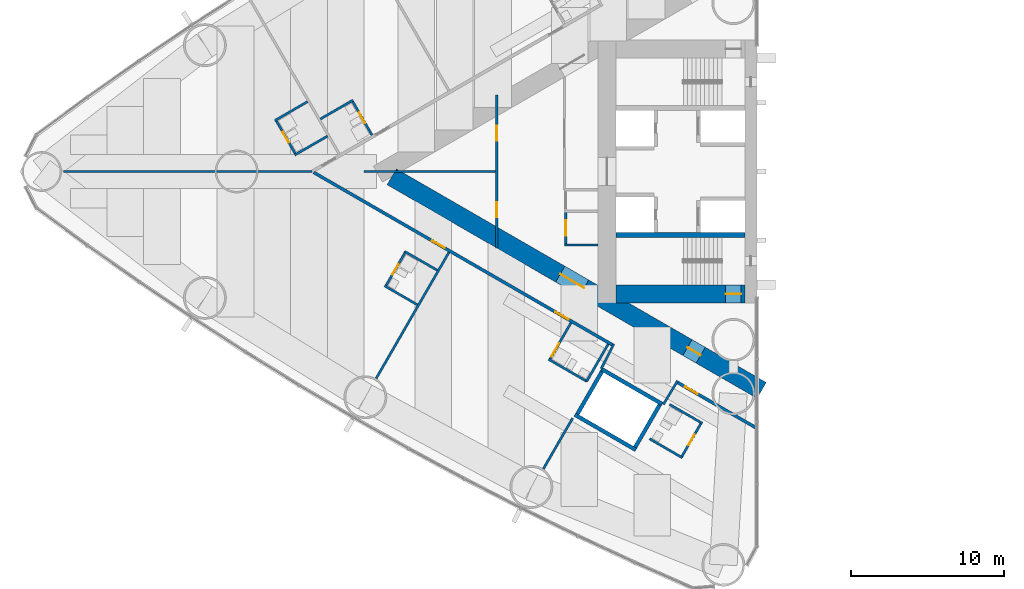
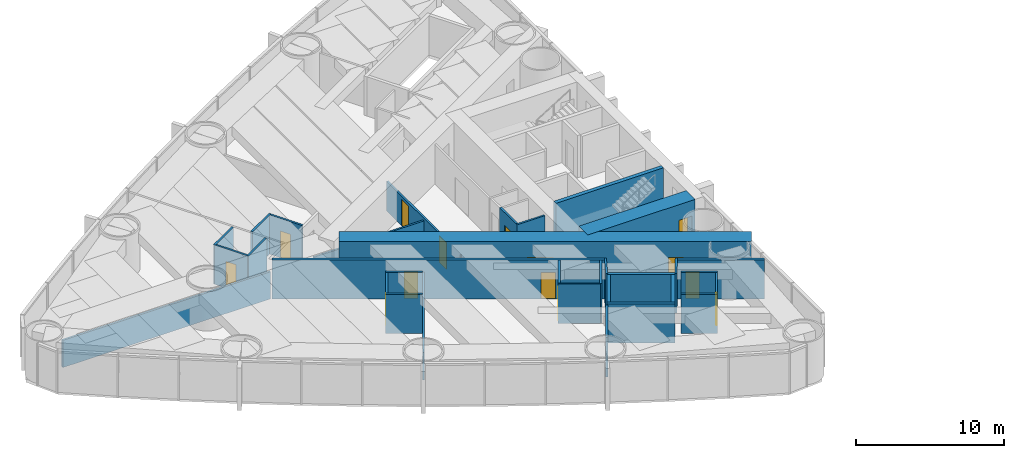
# One storey, part 11 of 19: 32 walls, 14 doors, 14 openings.
"""IFC4 building model written with IfcOpenShell, lengths in metres."""

from ifc_helpers import new_model, si_unit, direction, frame, frame_2d, origin, place, context, subcontext, project, spatial, rectangle, extrude, material, layer, layer_set, type_object, element, fill, save


model = new_model("IFC4")

# Units and contexts
model_context = context("Model", 3, precision=1e-05, world=origin(), true_north=direction((0.0, 1.0)))
body_context = subcontext(model_context, "Body", "Model", "MODEL_VIEW")
ifc_project = project(units=[si_unit("LENGTHUNIT", "METRE"), si_unit("AREAUNIT", "SQUARE_METRE"), si_unit("VOLUMEUNIT", "CUBIC_METRE"), si_unit("PLANEANGLEUNIT", "RADIAN"), si_unit("MASSUNIT", "GRAM", prefix="KILO")], contexts=[model_context])

# Site, building, storey
site_placement = place(None, origin())
site = spatial("IfcSite", under=ifc_project, at=site_placement, CompositionType="ELEMENT")
building_placement = place(site_placement, origin())
building = spatial("IfcBuilding", under=site, at=building_placement, Name="Lancet Gate Hotel", CompositionType="ELEMENT")
storey_placement = place(building_placement, frame((0.0, 0.0, 28.5)))
storey = spatial("IfcBuildingStorey", under=building, at=storey_placement, Name="L06", CompositionType="ELEMENT", Elevation=28.5)

# Wall
ifc_material_1 = material(Name="Moisture resistant board partition")
ifc_layer_1 = layer(ifc_material_1, 0.14990234375)
ifc_layer_set_1 = layer_set([ifc_layer_1], Name="Bathroom wall 150")
wall_type_1 = type_object("IfcWallType", Name="Bathroom wall 150", PredefinedType="PARTITIONING", material=ifc_layer_set_1)
wall_1_placement = place(storey_placement, frame((-53.8876953125, 4.665283203125, 0.0), z_axis=(0.0, 0.0, 1.0), x_axis=(-0.866006523861, -0.500032699561, 0.0)))
element("IfcWall", 1, at=wall_1_placement, inside=storey, type_object=wall_type_1, Name="T1 bathroom wall 150 L06", PredefinedType="PARTITIONING", context=body_context, shape_type="SweptSolid", body=[
    extrude(rectangle(XDim=2.474853515625, YDim=0.14990234375, at=frame_2d((1.2373046875, 0.0))), origin(), (0.0, 0.0, 1.0), 3.25),
])

# Wall, opening, door
wall_2_placement = place(storey_placement, frame((-52.652587890625, 2.376220703125, 0.0), z_axis=(0.0, 0.0, 1.0), x_axis=(-0.500006934395, 0.866021400173, 0.0)))
wall_2 = element("IfcWall", 2, at=wall_2_placement, inside=storey, type_object=wall_type_1, Name="T1 bathroom wall 150 L06", PredefinedType="PARTITIONING", context=body_context, shape_type="SweptSolid", body=[
    extrude(rectangle(XDim=2.60009765625, YDim=0.14990234375, at=frame_2d((1.300048828125, 0.0))), origin(), (0.0, 0.0, 1.0), 3.25),
])
opening_1_placement = place(wall_2_placement, frame((0.89990234375, 0.0, 0.0)))
opening_1 = element("IfcOpeningElement", 3, at=opening_1_placement, cuts=wall_2, Name="Opening 0603-B", PredefinedType="OPENING", context=body_context, shape_type="SweptSolid", body=[
    extrude(rectangle(XDim=0.800048828125, YDim=2.199951171875, at=frame_2d((0.39990234375, 1.10009765625))), frame((0.0, 0.0849609375, 0.0), z_axis=(0.0, -1.0, 0.0), x_axis=(1.0, 0.0, 0.0)), (0.0, 0.0, 1.0), 0.169921875),
])
ifc_material_2 = material(Name="Timber door set", Category="wood")
door_type_1 = type_object("IfcDoorType", Name="Bathroom door 800", OperationType="SINGLE_SWING_RIGHT", PredefinedType="DOOR", material=ifc_material_2)
door_1_placement = place(opening_1_placement, origin())
door_1 = element("IfcDoor", 4, at=door_1_placement, inside=storey, type_object=door_type_1, Name="0603-B", OperationType="SINGLE_SWING_RIGHT", OverallHeight=2.199951171875, OverallWidth=0.800048828125, PredefinedType="DOOR", context=body_context, shape_type="SweptSolid", body=[
    extrude(rectangle(XDim=0.800048828125, YDim=2.199951171875, at=frame_2d((0.39990234375, 1.10009765625))), frame((0.0, 0.02490234375, 0.0), z_axis=(0.0, -1.0, 0.0), x_axis=(1.0, 0.0, 0.0)), (0.0, 0.0, 1.0), 0.050048828125),
])
fill(opening_1, door_1)

# Wall
wall_3_placement = place(storey_placement, frame((-56.861083984375, 4.565185546875, 0.0), z_axis=(0.0, 0.0, 1.0), x_axis=(-0.86604923931, -0.499958713387, 0.0)))
element("IfcWall", 5, at=wall_3_placement, inside=storey, type_object=wall_type_1, Name="T1 bathroom wall 150 L06", PredefinedType="PARTITIONING", context=body_context, shape_type="SweptSolid", body=[
    extrude(rectangle(XDim=2.474853515625, YDim=0.14990234375, at=frame_2d((1.2373046875, 0.0))), origin(), (0.0, 0.0, 1.0), 3.25),
])

# Wall, opening, door
wall_4_placement = place(storey_placement, frame((-57.639404296875, 1.113525390625, 0.0), z_axis=(0.0, 0.0, 1.0), x_axis=(-0.500006934395, 0.866021400173, 0.0)))
wall_4 = element("IfcWall", 6, at=wall_4_placement, inside=storey, type_object=wall_type_1, Name="T1 bathroom wall 150 L06", PredefinedType="PARTITIONING", context=body_context, shape_type="SweptSolid", body=[
    extrude(rectangle(XDim=2.60009765625, YDim=0.14990234375, at=frame_2d((1.300048828125, 0.0))), origin(), (0.0, 0.0, 1.0), 3.25),
])
opening_2_placement = place(wall_4_placement, frame((0.89990234375, 0.0, 0.0)))
opening_2 = element("IfcOpeningElement", 7, at=opening_2_placement, cuts=wall_4, Name="Opening 0604-B", PredefinedType="OPENING", context=body_context, shape_type="SweptSolid", body=[
    extrude(rectangle(XDim=0.800048828125, YDim=2.199951171875, at=frame_2d((0.39990234375, 1.10009765625))), frame((0.0, 0.0849609375, 0.0), z_axis=(0.0, -1.0, 0.0), x_axis=(1.0, 0.0, 0.0)), (0.0, 0.0, 1.0), 0.169921875),
])
door_2_placement = place(opening_2_placement, origin())
door_2 = element("IfcDoor", 8, at=door_2_placement, inside=storey, type_object=door_type_1, Name="0604-B", OperationType="SINGLE_SWING_RIGHT", OverallHeight=2.199951171875, OverallWidth=0.800048828125, PredefinedType="DOOR", context=body_context, shape_type="SweptSolid", body=[
    extrude(rectangle(XDim=0.800048828125, YDim=2.199951171875, at=frame_2d((0.39990234375, 1.10009765625))), frame((0.0, 0.02490234375, 0.0), z_axis=(0.0, -1.0, 0.0), x_axis=(1.0, 0.0, 0.0)), (0.0, 0.0, 1.0), 0.050048828125),
])
fill(opening_2, door_2)

# Walls
wall_5_placement = place(storey_placement, frame((-55.56103515625, 2.3134765625, 0.0), z_axis=(0.0, 0.0, 1.0), x_axis=(-0.86604923931, -0.499958713387, 0.0)))
element("IfcWall", 9, at=wall_5_placement, inside=storey, type_object=wall_type_1, Name="T1 bathroom wall 150 L06", PredefinedType="PARTITIONING", context=body_context, shape_type="SweptSolid", body=[
    extrude(rectangle(XDim=2.474853515625, YDim=0.14990234375, at=frame_2d((1.2373046875, 0.0))), origin(), (0.0, 0.0, 1.0), 3.25),
])
wall_6_placement = place(storey_placement, frame((-49.691650390625, -8.704345703125, 0.0), z_axis=(0.0, 0.0, 1.0), x_axis=(-0.866073894602, 0.499916002032, 0.0)))
element("IfcWall", 10, at=wall_6_placement, inside=storey, type_object=wall_type_1, Name="T1 bathroom wall 150 L06", PredefinedType="PARTITIONING", context=body_context, shape_type="SweptSolid", body=[
    extrude(rectangle(XDim=2.47509765625, YDim=0.14990234375, at=frame_2d((1.237548828125, 0.0))), origin(), (0.0, 0.0, 1.0), 3.25),
])

# Wall, opening, door
wall_7_placement = place(storey_placement, frame((-50.47021484375, -5.252685546875, 0.0), z_axis=(0.0, 0.0, 1.0), x_axis=(-0.500006934395, -0.866021400173, 0.0)))
wall_7 = element("IfcWall", 11, at=wall_7_placement, inside=storey, type_object=wall_type_1, Name="T1 bathroom wall 150 L06", PredefinedType="PARTITIONING", context=body_context, shape_type="SweptSolid", body=[
    extrude(rectangle(XDim=2.60009765625, YDim=0.14990234375, at=frame_2d((1.300048828125, 0.0))), origin(), (0.0, 0.0, 1.0), 3.25),
])
opening_3_placement = place(wall_7_placement, frame((0.89990234375, 0.0, 0.0)))
opening_3 = element("IfcOpeningElement", 12, at=opening_3_placement, cuts=wall_7, Name="Opening 0605-B", PredefinedType="OPENING", context=body_context, shape_type="SweptSolid", body=[
    extrude(rectangle(XDim=0.800048828125, YDim=2.199951171875, at=frame_2d((0.39990234375, 1.10009765625))), frame((0.0, 0.0849609375, 0.0), z_axis=(0.0, -1.0, 0.0), x_axis=(1.0, 0.0, 0.0)), (0.0, 0.0, 1.0), 0.169921875),
])
door_3_placement = place(opening_3_placement, origin())
door_3 = element("IfcDoor", 13, at=door_3_placement, inside=storey, type_object=door_type_1, Name="0605-B", OperationType="SINGLE_SWING_RIGHT", OverallHeight=2.199951171875, OverallWidth=0.800048828125, PredefinedType="DOOR", context=body_context, shape_type="SweptSolid", body=[
    extrude(rectangle(XDim=0.800048828125, YDim=2.199951171875, at=frame_2d((0.39990234375, 1.10009765625))), frame((0.0, 0.02490234375, 0.0), z_axis=(0.0, -1.0, 0.0), x_axis=(1.0, 0.0, 0.0)), (0.0, 0.0, 1.0), 0.050048828125),
])
fill(opening_3, door_3)

# Walls
wall_8_placement = place(storey_placement, frame((-48.391845703125, -6.45263671875, 0.0), z_axis=(0.0, 0.0, 1.0), x_axis=(-0.86604923931, 0.499958713387, 0.0)))
element("IfcWall", 14, at=wall_8_placement, inside=storey, type_object=wall_type_1, Name="T1 bathroom wall 150 L06", PredefinedType="PARTITIONING", context=body_context, shape_type="SweptSolid", body=[
    extrude(rectangle(XDim=2.474853515625, YDim=0.14990234375, at=frame_2d((1.2373046875, 0.0))), origin(), (0.0, 0.0, 1.0), 3.25),
])
wall_9_placement = place(storey_placement, frame((-38.630126953125, -13.705322265625, 0.0), z_axis=(0.0, 0.0, 1.0), x_axis=(-0.866018712932, 0.500011588718, 0.0)))
element("IfcWall", 15, at=wall_9_placement, inside=storey, type_object=wall_type_1, Name="T1 bathroom wall 150 L06", PredefinedType="PARTITIONING", context=body_context, shape_type="SweptSolid", body=[
    extrude(rectangle(XDim=2.875, YDim=0.14990234375, at=frame_2d((1.4375, 0.0))), origin(), (0.0, 0.0, 1.0), 3.25),
])

# Wall, opening, door
wall_10_placement = place(storey_placement, frame((-39.65478515625, -9.88037109375, 0.0), z_axis=(0.0, 0.0, 1.0), x_axis=(-0.500049511043, -0.865996816683, 0.0)))
wall_10 = element("IfcWall", 16, at=wall_10_placement, inside=storey, type_object=wall_type_1, Name="T1 bathroom wall 150 L06", PredefinedType="PARTITIONING", context=body_context, shape_type="SweptSolid", body=[
    extrude(rectangle(XDim=2.800048828125, YDim=0.14990234375, at=frame_2d((1.39990234375, 0.0))), origin(), (0.0, 0.0, 1.0), 3.25),
])
opening_4_placement = place(wall_10_placement, frame((1.550048828125, 0.0, 0.0)))
opening_4 = element("IfcOpeningElement", 17, at=opening_4_placement, cuts=wall_10, Name="Opening 0607-B", PredefinedType="OPENING", context=body_context, shape_type="SweptSolid", body=[
    extrude(rectangle(XDim=1.0, YDim=2.199951171875, at=frame_2d((0.5, 1.10009765625))), frame((0.0, 0.0849609375, 0.0), z_axis=(0.0, -1.0, 0.0), x_axis=(1.0, 0.0, 0.0)), (0.0, 0.0, 1.0), 0.169921875),
])
ifc_material_3 = material(Name="Timber door set", Category="wood")
door_type_2 = type_object("IfcDoorType", Name="Accessible en-suite door 1000", OperationType="SINGLE_SWING_RIGHT", PredefinedType="DOOR", material=ifc_material_3)
door_4_placement = place(opening_4_placement, origin())
door_4 = element("IfcDoor", 18, at=door_4_placement, inside=storey, type_object=door_type_2, Name="0607-B", OperationType="SINGLE_SWING_RIGHT", OverallHeight=2.199951171875, OverallWidth=1.0, PredefinedType="DOOR", context=body_context, shape_type="SweptSolid", body=[
    extrude(rectangle(XDim=1.0, YDim=2.199951171875, at=frame_2d((0.5, 1.10009765625))), frame((0.0, 0.02490234375, 0.0), z_axis=(0.0, -1.0, 0.0), x_axis=(1.0, 0.0, 0.0)), (0.0, 0.0, 1.0), 0.050048828125),
])
fill(opening_4, door_4)

# Walls
wall_11_placement = place(storey_placement, frame((-37.22998046875, -11.280517578125, 0.0), z_axis=(0.0, 0.0, 1.0), x_axis=(-0.500049511043, -0.865996816683, 0.0)))
element("IfcWall", 19, at=wall_11_placement, inside=storey, type_object=wall_type_1, Name="T1 bathroom wall 150 L06", PredefinedType="PARTITIONING", context=body_context, shape_type="SweptSolid", body=[
    extrude(rectangle(XDim=2.800048828125, YDim=0.14990234375, at=frame_2d((1.39990234375, 0.0))), origin(), (0.0, 0.0, 1.0), 3.25),
])
wall_12_placement = place(storey_placement, frame((-32.3759765625, -18.70166015625, 0.0), z_axis=(0.0, 0.0, 1.0), x_axis=(-0.866006523861, 0.500032699561, 0.0)))
element("IfcWall", 20, at=wall_12_placement, inside=storey, type_object=wall_type_1, Name="T1 bathroom wall 150 L06", PredefinedType="PARTITIONING", context=body_context, shape_type="SweptSolid", body=[
    extrude(rectangle(XDim=2.474853515625, YDim=0.14990234375, at=frame_2d((1.2373046875, 0.0))), origin(), (0.0, 0.0, 1.0), 3.25),
])

# Wall, opening, door
wall_13_placement = place(storey_placement, frame((-31.140869140625, -16.41259765625, 0.0), z_axis=(0.0, 0.0, 1.0), x_axis=(-0.500006934395, -0.866021400173, 0.0)))
wall_13 = element("IfcWall", 21, at=wall_13_placement, inside=storey, type_object=wall_type_1, Name="T1 bathroom wall 150 L06", PredefinedType="PARTITIONING", context=body_context, shape_type="SweptSolid", body=[
    extrude(rectangle(XDim=2.60009765625, YDim=0.14990234375, at=frame_2d((1.300048828125, 0.0))), origin(), (0.0, 0.0, 1.0), 3.25),
])
opening_5_placement = place(wall_13_placement, frame((0.89990234375, 0.0, 0.0)))
opening_5 = element("IfcOpeningElement", 22, at=opening_5_placement, cuts=wall_13, Name="Opening 0608-B", PredefinedType="OPENING", context=body_context, shape_type="SweptSolid", body=[
    extrude(rectangle(XDim=0.800048828125, YDim=2.199951171875, at=frame_2d((0.39990234375, 1.10009765625))), frame((0.0, 0.0849609375, 0.0), z_axis=(0.0, -1.0, 0.0), x_axis=(1.0, 0.0, 0.0)), (0.0, 0.0, 1.0), 0.169921875),
])
door_5_placement = place(opening_5_placement, origin())
door_5 = element("IfcDoor", 23, at=door_5_placement, inside=storey, type_object=door_type_1, Name="0608-B", OperationType="SINGLE_SWING_RIGHT", OverallHeight=2.199951171875, OverallWidth=0.800048828125, PredefinedType="DOOR", context=body_context, shape_type="SweptSolid", body=[
    extrude(rectangle(XDim=0.800048828125, YDim=2.199951171875, at=frame_2d((0.39990234375, 1.10009765625))), frame((0.0, 0.02490234375, 0.0), z_axis=(0.0, -1.0, 0.0), x_axis=(1.0, 0.0, 0.0)), (0.0, 0.0, 1.0), 0.050048828125),
])
fill(opening_5, door_5)

# Wall
wall_14_placement = place(storey_placement, frame((-31.075927734375, -16.449951171875, 0.0), z_axis=(0.0, 0.0, 1.0), x_axis=(-0.866073894602, 0.499916002032, 0.0)))
element("IfcWall", 24, at=wall_14_placement, inside=storey, type_object=wall_type_1, Name="T1 bathroom wall 150 L06", PredefinedType="PARTITIONING", context=body_context, shape_type="SweptSolid", body=[
    extrude(rectangle(XDim=2.47509765625, YDim=0.14990234375, at=frame_2d((1.237548828125, 0.0))), origin(), (0.0, 0.0, 1.0), 3.25),
])

# Wall, openings, doors
ifc_material_4 = material(Name="Concrete C70/85", Category="concrete")
ifc_layer_2 = layer(ifc_material_4, 1.199951171875)
ifc_layer_set_2 = layer_set([ifc_layer_2], Name="Buttress wall 1200")
wall_type_2 = type_object("IfcWallType", Name="Buttress wall 1200", PredefinedType="SHEAR", material=ifc_layer_set_2)
wall_15_placement = place(storey_placement, frame((-27.199951171875, -14.300048828125, 0.0), z_axis=(0.0, 0.0, 1.0), x_axis=(-0.866024021859, 0.500002393557, 0.0)))
wall_15 = element("IfcWall", 25, at=wall_15_placement, inside=storey, type_object=wall_type_2, Name="T1 buttress wall N L06", PredefinedType="SHEAR", context=body_context, shape_type="SweptSolid", body=[
    extrude(rectangle(XDim=27.906982421875, YDim=1.199951171875, at=frame_2d((13.95361328125, 0.0))), origin(), (0.0, 0.0, 1.0), 3.5),
])
opening_6_placement = place(wall_15_placement, frame((4.60009765625, 0.0, 0.0)))
opening_6 = element("IfcOpeningElement", 26, at=opening_6_placement, cuts=wall_15, Name="Opening T1-L06-LN", PredefinedType="OPENING", context=body_context, shape_type="SweptSolid", body=[
    extrude(rectangle(XDim=1.0, YDim=2.199951171875, at=frame_2d((0.5, 1.10009765625))), frame((0.0, 0.60986328125, 0.0), z_axis=(0.0, -1.0, 0.0), x_axis=(1.0, 0.0, 0.0)), (0.0, 0.0, 1.0), 1.219970703125),
])
opening_7_placement = place(wall_15_placement, frame((13.39453125, 0.0, 0.0)))
opening_7 = element("IfcOpeningElement", 27, at=opening_7_placement, cuts=wall_15, Name="Opening T1-L06-LHN", PredefinedType="OPENING", context=body_context, shape_type="SweptSolid", body=[
    extrude(rectangle(XDim=1.800048828125, YDim=2.199951171875, at=frame_2d((0.89990234375, 1.10009765625))), frame((0.0, 0.60986328125, 0.0), z_axis=(0.0, -1.0, 0.0), x_axis=(1.0, 0.0, 0.0)), (0.0, 0.0, 1.0), 1.219970703125),
])
ifc_material_5 = material(Name="Timber door set", Category="wood")
door_type_3 = type_object("IfcDoorType", Name="Lobby double door 1800", OperationType="DOUBLE_DOOR_SINGLE_SWING", PredefinedType="DOOR", material=ifc_material_5)
door_6_placement = place(opening_7_placement, origin())
door_6 = element("IfcDoor", 28, at=door_6_placement, inside=storey, type_object=door_type_3, Name="T1-L06-LHN", OperationType="DOUBLE_DOOR_SINGLE_SWING", OverallHeight=2.199951171875, OverallWidth=1.800048828125, PredefinedType="DOOR", context=body_context, shape_type="SweptSolid", body=[
    extrude(rectangle(XDim=1.800048828125, YDim=2.199951171875, at=frame_2d((0.89990234375, 1.10009765625))), frame((0.0, 0.02490234375, 0.0), z_axis=(0.0, -1.0, 0.0), x_axis=(1.0, 0.0, 0.0)), (0.0, 0.0, 1.0), 0.050048828125),
])
fill(opening_7, door_6)
ifc_material_6 = material(Name="Timber door set", Category="wood")
door_type_4 = type_object("IfcDoorType", Name="Stair lobby door 1000", OperationType="SINGLE_SWING_LEFT", PredefinedType="DOOR", material=ifc_material_6)
door_7_placement = place(opening_6_placement, origin())
door_7 = element("IfcDoor", 29, at=door_7_placement, inside=storey, type_object=door_type_4, Name="T1-L06-LN", OperationType="SINGLE_SWING_LEFT", OverallHeight=2.199951171875, OverallWidth=1.0, PredefinedType="DOOR", context=body_context, shape_type="SweptSolid", body=[
    extrude(rectangle(XDim=1.0, YDim=2.199951171875, at=frame_2d((0.5, 1.10009765625))), frame((0.0, 0.02490234375, 0.0), z_axis=(0.0, -1.0, 0.0), x_axis=(1.0, 0.0, 0.0)), (0.0, 0.0, 1.0), 0.050048828125),
])
fill(opening_6, door_7)

# Wall, opening, door
ifc_material_7 = material(Name="Concrete C70/85", Category="concrete")
ifc_layer_3 = layer(ifc_material_7, 1.199951171875)
ifc_layer_set_3 = layer_set([ifc_layer_3], Name="Core wall 1200")
wall_type_3 = type_object("IfcWallType", Name="Core wall 1200", PredefinedType="SHEAR", material=ifc_layer_set_3)
wall_16_placement = place(storey_placement, frame((-28.300048828125, -8.0, 0.0), z_axis=(0.0, 0.0, 1.0), x_axis=(-1.0, 0.0, 0.0)))
wall_16 = element("IfcWall", 30, at=wall_16_placement, inside=storey, type_object=wall_type_3, Name="T1 core wall side-N L06", PredefinedType="SHEAR", context=body_context, shape_type="SweptSolid", body=[
    extrude(rectangle(XDim=8.39990234375, YDim=1.199951171875, at=frame_2d((4.199951171875, 0.0))), origin(), (0.0, 0.0, 1.0), 3.5),
])
opening_8_placement = place(wall_16_placement, frame((0.25, 0.0, 0.0)))
opening_8 = element("IfcOpeningElement", 31, at=opening_8_placement, cuts=wall_16, Name="Opening T1-L06-ST2", PredefinedType="OPENING", context=body_context, shape_type="SweptSolid", body=[
    extrude(rectangle(XDim=1.0, YDim=2.199951171875, at=frame_2d((0.5, 1.10009765625))), frame((0.0, 0.60986328125, 0.0), z_axis=(0.0, -1.0, 0.0), x_axis=(1.0, 0.0, 0.0)), (0.0, 0.0, 1.0), 1.219970703125),
])
ifc_material_8 = material(Name="Timber door set", Category="wood")
door_type_5 = type_object("IfcDoorType", Name="Stair door 1000", OperationType="SINGLE_SWING_RIGHT", PredefinedType="DOOR", material=ifc_material_8)
door_8_placement = place(opening_8_placement, origin())
door_8 = element("IfcDoor", 32, at=door_8_placement, inside=storey, type_object=door_type_5, Name="T1-L06-ST2", OperationType="SINGLE_SWING_RIGHT", OverallHeight=2.199951171875, OverallWidth=1.0, PredefinedType="DOOR", context=body_context, shape_type="SweptSolid", body=[
    extrude(rectangle(XDim=1.0, YDim=2.199951171875, at=frame_2d((0.5, 1.10009765625))), frame((0.0, 0.02490234375, 0.0), z_axis=(0.0, -1.0, 0.0), x_axis=(1.0, 0.0, 0.0)), (0.0, 0.0, 1.0), 0.050048828125),
])
fill(opening_8, door_8)

ifc_material_9 = material(Name="Gypsum board partition")
ifc_layer_4 = layer(ifc_material_9, 0.199951171875)
ifc_layer_set_4 = layer_set([ifc_layer_4], Name="Corridor wall 200")
wall_type_4 = type_object("IfcWallType", Name="Corridor wall 200", PredefinedType="PARTITIONING", material=ifc_layer_set_4)
wall_17_placement = place(storey_placement, frame((-27.572021484375, -16.740966796875, 0.0), z_axis=(0.0, 0.0, 1.0), x_axis=(-0.866024464444, 0.500001626982, 0.0)))
wall_17 = element("IfcWall", 33, at=wall_17_placement, inside=storey, type_object=wall_type_4, Name="T1 corridor wall 200 L06", PredefinedType="PARTITIONING", context=body_context, shape_type="SweptSolid", body=[
    extrude(rectangle(XDim=5.955078125, YDim=0.199951171875, at=frame_2d((2.9775390625, 0.0))), origin(), (0.0, 0.0, 1.0), 3.25),
])
opening_9_placement = place(wall_17_placement, frame((4.405029296875, 0.0, 0.0)))
opening_9 = element("IfcOpeningElement", 34, at=opening_9_placement, cuts=wall_17, Name="Opening 0608-E", PredefinedType="OPENING", context=body_context, shape_type="SweptSolid", body=[
    extrude(rectangle(XDim=0.949951171875, YDim=2.199951171875, at=frame_2d((0.47509765625, 1.10009765625))), frame((0.0, 0.10986328125, 0.0), z_axis=(0.0, -1.0, 0.0), x_axis=(1.0, 0.0, 0.0)), (0.0, 0.0, 1.0), 0.219970703125),
])
ifc_material_10 = material(Name="Timber door set", Category="wood")
door_type_6 = type_object("IfcDoorType", Name="Guest room entry door 950", OperationType="SINGLE_SWING_LEFT", PredefinedType="DOOR", material=ifc_material_10)
door_9_placement = place(opening_9_placement, origin())
door_9 = element("IfcDoor", 35, at=door_9_placement, inside=storey, type_object=door_type_6, Name="0608-E", OperationType="SINGLE_SWING_LEFT", OverallHeight=2.199951171875, OverallWidth=0.949951171875, PredefinedType="DOOR", context=body_context, shape_type="SweptSolid", body=[
    extrude(rectangle(XDim=0.949951171875, YDim=2.199951171875, at=frame_2d((0.47509765625, 1.10009765625))), frame((0.0, 0.02490234375, 0.0), z_axis=(0.0, -1.0, 0.0), x_axis=(1.0, 0.0, 0.0)), (0.0, 0.0, 1.0), 0.050048828125),
])
fill(opening_9, door_9)

# Wall, openings, doors
wall_18_placement = place(storey_placement, frame((-36.920166015625, -11.34375, 0.0), z_axis=(0.0, 0.0, 1.0), x_axis=(-0.866028313256, 0.499994960614, 0.0)))
wall_18 = element("IfcWall", 36, at=wall_18_placement, inside=storey, type_object=wall_type_4, Name="T1 corridor wall 200 L06", PredefinedType="PARTITIONING", context=body_context, shape_type="SweptSolid", body=[
    extrude(rectangle(XDim=22.567626953125, YDim=0.199951171875, at=frame_2d((11.28369140625, 0.0))), origin(), (0.0, 0.0, 1.0), 3.25),
])
opening_10_placement = place(wall_18_placement, frame((12.68017578125, 0.0, 0.0)))
opening_10 = element("IfcOpeningElement", 37, at=opening_10_placement, cuts=wall_18, Name="Opening 0605-E", PredefinedType="OPENING", context=body_context, shape_type="SweptSolid", body=[
    extrude(rectangle(XDim=0.949951171875, YDim=2.199951171875, at=frame_2d((0.47509765625, 1.10009765625))), frame((0.0, 0.10986328125, 0.0), z_axis=(0.0, -1.0, 0.0), x_axis=(1.0, 0.0, 0.0)), (0.0, 0.0, 1.0), 0.219970703125),
])
opening_11_placement = place(wall_18_placement, frame((3.35009765625, 0.0, 0.0)))
opening_11 = element("IfcOpeningElement", 38, at=opening_11_placement, cuts=wall_18, Name="Opening 0607-E", PredefinedType="OPENING", context=body_context, shape_type="SweptSolid", body=[
    extrude(rectangle(XDim=1.0, YDim=2.199951171875, at=frame_2d((0.5, 1.10009765625))), frame((0.0, 0.10986328125, 0.0), z_axis=(0.0, -1.0, 0.0), x_axis=(1.0, 0.0, 0.0)), (0.0, 0.0, 1.0), 0.219970703125),
])
ifc_material_11 = material(Name="Timber door set", Category="wood")
door_type_7 = type_object("IfcDoorType", Name="Accessible guest room door 1000", OperationType="SINGLE_SWING_LEFT", PredefinedType="DOOR", material=ifc_material_11)
door_10_placement = place(opening_11_placement, origin())
door_10 = element("IfcDoor", 39, at=door_10_placement, inside=storey, type_object=door_type_7, Name="0607-E", OperationType="SINGLE_SWING_LEFT", OverallHeight=2.199951171875, OverallWidth=1.0, PredefinedType="DOOR", context=body_context, shape_type="SweptSolid", body=[
    extrude(rectangle(XDim=1.0, YDim=2.199951171875, at=frame_2d((0.5, 1.10009765625))), frame((0.0, 0.02490234375, 0.0), z_axis=(0.0, -1.0, 0.0), x_axis=(1.0, 0.0, 0.0)), (0.0, 0.0, 1.0), 0.050048828125),
])
fill(opening_11, door_10)
door_11_placement = place(opening_10_placement, origin())
door_11 = element("IfcDoor", 40, at=door_11_placement, inside=storey, type_object=door_type_6, Name="0605-E", OperationType="SINGLE_SWING_LEFT", OverallHeight=2.199951171875, OverallWidth=0.949951171875, PredefinedType="DOOR", context=body_context, shape_type="SweptSolid", body=[
    extrude(rectangle(XDim=0.949951171875, YDim=2.199951171875, at=frame_2d((0.47509765625, 1.10009765625))), frame((0.0, 0.02490234375, 0.0), z_axis=(0.0, -1.0, 0.0), x_axis=(1.0, 0.0, 0.0)), (0.0, 0.0, 1.0), 0.050048828125),
])
fill(opening_10, door_11)

# Walls
ifc_material_12 = material(Name="Gypsum board partition")
ifc_layer_5 = layer(ifc_material_12, 0.25)
ifc_layer_set_5 = layer_set([ifc_layer_5], Name="Lift shaft partition 250")
wall_type_5 = type_object("IfcWallType", Name="Lift shaft partition 250", PredefinedType="PARTITIONING", material=ifc_layer_set_5)
wall_19_placement = place(storey_placement, frame((-33.695556640625, -15.197265625, 0.0), z_axis=(0.0, 0.0, 1.0), x_axis=(-0.865976953817, 0.500083908417, 0.0)))
element("IfcWall", 41, at=wall_19_placement, inside=storey, type_object=wall_type_5, Name="T1 lift shaft wall EX L06", PredefinedType="PARTITIONING", context=body_context, shape_type="SweptSolid", body=[
    extrude(rectangle(XDim=4.599365234375, YDim=0.25, at=frame_2d((2.2998046875, 0.0))), origin(), (0.0, 0.0, 1.0), 3.25),
])
wall_20_placement = place(storey_placement, frame((-35.42041015625, -18.185791015625, 0.0), z_axis=(0.0, 0.0, 1.0), x_axis=(-0.865990227814, 0.50006092162, 0.0)))
element("IfcWall", 42, at=wall_20_placement, inside=storey, type_object=wall_type_5, Name="T1 lift shaft wall EX L06", PredefinedType="PARTITIONING", context=body_context, shape_type="SweptSolid", body=[
    extrude(rectangle(XDim=4.599609375, YDim=0.25, at=frame_2d((2.2998046875, 0.0))), origin(), (0.0, 0.0, 1.0), 3.25),
])
wall_21_placement = place(storey_placement, frame((-33.8662109375, -15.242919921875, 0.0), z_axis=(0.0, 0.0, 1.0), x_axis=(-0.499929347863, -0.866066190972, 0.0)))
element("IfcWall", 43, at=wall_21_placement, inside=storey, type_object=wall_type_5, Name="T1 lift shaft wall EX L06", PredefinedType="PARTITIONING", context=body_context, shape_type="SweptSolid", body=[
    extrude(rectangle(XDim=3.20068359375, YDim=0.25, at=frame_2d((1.600341796875, 0.0))), origin(), (0.0, 0.0, 1.0), 3.25),
])
wall_22_placement = place(storey_placement, frame((-37.6328125, -13.068115234375, 0.0), z_axis=(0.0, 0.0, 1.0), x_axis=(-0.499872130319, -0.866099216793, 0.0)))
element("IfcWall", 44, at=wall_22_placement, inside=storey, type_object=wall_type_5, Name="T1 lift shaft wall EX L06", PredefinedType="PARTITIONING", context=body_context, shape_type="SweptSolid", body=[
    extrude(rectangle(XDim=3.200439453125, YDim=0.25, at=frame_2d((1.60009765625, 0.0))), origin(), (0.0, 0.0, 1.0), 3.25),
])
ifc_material_13 = material(Name="Gypsum board partition")
ifc_layer_6 = layer(ifc_material_13, 0.14990234375)
ifc_layer_set_6 = layer_set([ifc_layer_6], Name="Party wall 150")
wall_type_6 = type_object("IfcWallType", Name="Party wall 150", PredefinedType="PARTITIONING", material=ifc_layer_set_6)
wall_23_placement = place(storey_placement, frame((-47.626708984375, -5.27783203125, 0.0), z_axis=(0.0, 0.0, 1.0), x_axis=(-0.500009844318, -0.86601972009, 0.0)))
element("IfcWall", 45, at=wall_23_placement, inside=storey, type_object=wall_type_6, Name="T1 party wall 150 L06", PredefinedType="PARTITIONING", context=body_context, shape_type="SweptSolid", body=[
    extrude(rectangle(XDim=9.510498046875, YDim=0.14990234375, at=frame_2d((4.75537109375, 0.0))), origin(), (0.0, 0.0, 1.0), 2.25),
])
wall_24_placement = place(storey_placement, frame((-56.568359375, 0.0, 0.0), z_axis=(0.0, 0.0, 1.0), x_axis=(-1.0, 0.0, 0.0)))
element("IfcWall", 46, at=wall_24_placement, inside=storey, type_object=wall_type_6, Name="T1 party wall 150 L06", PredefinedType="PARTITIONING", context=body_context, shape_type="SweptSolid", body=[
    extrude(rectangle(XDim=16.246826171875, YDim=0.14990234375, at=frame_2d((8.12353515625, 0.0))), origin(), (0.0, 0.0, 1.0), 2.25),
])
wall_25_placement = place(storey_placement, frame((-39.55078125, -16.118408203125, 0.0), z_axis=(0.0, 0.0, 1.0), x_axis=(-0.499986503906, -0.866033195618, 0.0)))
element("IfcWall", 47, at=wall_25_placement, inside=storey, type_object=wall_type_6, Name="T1 party wall 150 L06", PredefinedType="PARTITIONING", context=body_context, shape_type="SweptSolid", body=[
    extrude(rectangle(XDim=3.81494140625, YDim=0.14990234375, at=frame_2d((1.907470703125, 0.0))), origin(), (0.0, 0.0, 1.0), 3.25),
])
ifc_material_14 = material(Name="Gypsum board partition")
ifc_layer_7 = layer(ifc_material_14, 0.14990234375)
ifc_layer_set_7 = layer_set([ifc_layer_7], Name="Service room wall 150")
wall_type_7 = type_object("IfcWallType", Name="Service room wall 150", PredefinedType="PARTITIONING", material=ifc_layer_set_7)
wall_26_placement = place(storey_placement, frame((-36.857177734375, -11.2646484375, 0.0), z_axis=(0.0, 0.0, 1.0), x_axis=(-0.454225294761, -0.890886851176, 0.0)))
element("IfcWall", 48, at=wall_26_placement, inside=storey, type_object=wall_type_7, Name="T1 service room wall 150 L06", PredefinedType="PARTITIONING", context=body_context, shape_type="SweptSolid", body=[
    extrude(rectangle(XDim=1.80712890625, YDim=0.14990234375, at=frame_2d((0.903564453125, 0.0))), origin(), (0.0, 0.0, 1.0), 3.25),
])
wall_27_placement = place(storey_placement, frame((-33.62060546875, -15.217529296875, 0.0), z_axis=(0.0, 0.0, 1.0), x_axis=(0.514336634837, 0.857588377991, 0.0)))
element("IfcWall", 49, at=wall_27_placement, inside=storey, type_object=wall_type_7, Name="T1 service room wall 150 L06", PredefinedType="PARTITIONING", context=body_context, shape_type="SweptSolid", body=[
    extrude(rectangle(XDim=1.80517578125, YDim=0.14990234375, at=frame_2d((0.902587890625, 0.0))), origin(), (0.0, 0.0, 1.0), 3.25),
])
wall_28_placement = place(storey_placement, frame((-37.89990234375, -4.800048828125, 0.0), z_axis=(0.0, 0.0, 1.0), x_axis=(-1.0, 0.0, 0.0)))
element("IfcWall", 50, at=wall_28_placement, inside=storey, type_object=wall_type_7, Name="T1 service room wall 150 L06", PredefinedType="PARTITIONING", context=body_context, shape_type="SweptSolid", body=[
    extrude(rectangle(XDim=2.175048828125, YDim=0.14990234375, at=frame_2d((1.08740234375, 0.0))), origin(), (0.0, 0.0, 1.0), 3.25),
])

# Wall, opening, door
wall_29_placement = place(storey_placement, frame((-40.0, -2.52490234375, 0.0), z_axis=(0.0, 0.0, 1.0), x_axis=(0.0, -1.0, 0.0)))
wall_29 = element("IfcWall", 51, at=wall_29_placement, inside=storey, type_object=wall_type_7, Name="T1 service room wall 150 L06", PredefinedType="PARTITIONING", context=body_context, shape_type="SweptSolid", body=[
    extrude(rectangle(XDim=2.35009765625, YDim=0.14990234375, at=frame_2d((1.175048828125, 0.0))), origin(), (0.0, 0.0, 1.0), 3.25),
])
opening_12_placement = place(wall_29_placement, frame((0.675048828125, 0.0, 0.0)))
opening_12 = element("IfcOpeningElement", 52, at=opening_12_placement, cuts=wall_29, Name="Opening T1-L06-HRN1", PredefinedType="OPENING", context=body_context, shape_type="SweptSolid", body=[
    extrude(rectangle(XDim=1.0, YDim=2.199951171875, at=frame_2d((0.5, 1.10009765625))), frame((0.0, 0.0849609375, 0.0), z_axis=(0.0, -1.0, 0.0), x_axis=(1.0, 0.0, 0.0)), (0.0, 0.0, 1.0), 0.169921875),
])
ifc_material_15 = material(Name="Timber door set", Category="wood")
door_type_8 = type_object("IfcDoorType", Name="Service door 1000", OperationType="SINGLE_SWING_LEFT", PredefinedType="DOOR", material=ifc_material_15)
door_12_placement = place(opening_12_placement, origin())
door_12 = element("IfcDoor", 53, at=door_12_placement, inside=storey, type_object=door_type_8, Name="T1-L06-HRN1", OperationType="SINGLE_SWING_LEFT", OverallHeight=2.199951171875, OverallWidth=1.0, PredefinedType="DOOR", context=body_context, shape_type="SweptSolid", body=[
    extrude(rectangle(XDim=1.0, YDim=2.199951171875, at=frame_2d((0.5, 1.10009765625))), frame((0.0, 0.02490234375, 0.0), z_axis=(0.0, -1.0, 0.0), x_axis=(1.0, 0.0, 0.0)), (0.0, 0.0, 1.0), 0.050048828125),
])
fill(opening_12, door_12)

# Wall, openings, doors
wall_30_placement = place(storey_placement, frame((-44.5, 5.004638671875, 0.0), z_axis=(0.0, 0.0, 1.0), x_axis=(0.0, -1.0, 0.0)))
wall_30 = element("IfcWall", 54, at=wall_30_placement, inside=storey, type_object=wall_type_7, Name="T1 service room wall 150 L06", PredefinedType="PARTITIONING", context=body_context, shape_type="SweptSolid", body=[
    extrude(rectangle(XDim=10.00927734375, YDim=0.14990234375, at=frame_2d((5.004638671875, 0.0))), origin(), (0.0, 0.0, 1.0), 2.449951171875),
])
opening_13_placement = place(wall_30_placement, frame((2.002197265625, 0.0, 0.0)))
opening_13 = element("IfcOpeningElement", 55, at=opening_13_placement, cuts=wall_30, Name="Opening T1-L06-SV", PredefinedType="OPENING", context=body_context, shape_type="SweptSolid", body=[
    extrude(rectangle(XDim=1.0, YDim=2.199951171875, at=frame_2d((0.5, 1.10009765625))), frame((0.0, 0.0849609375, 0.0), z_axis=(0.0, -1.0, 0.0), x_axis=(1.0, 0.0, 0.0)), (0.0, 0.0, 1.0), 0.169921875),
])
opening_14_placement = place(wall_30_placement, frame((7.0068359375, 0.0, 0.0)))
opening_14 = element("IfcOpeningElement", 56, at=opening_14_placement, cuts=wall_30, Name="Opening T1-L06-SV2", PredefinedType="OPENING", context=body_context, shape_type="SweptSolid", body=[
    extrude(rectangle(XDim=1.0, YDim=2.199951171875, at=frame_2d((0.5, 1.10009765625))), frame((0.0, 0.0849609375, 0.0), z_axis=(0.0, -1.0, 0.0), x_axis=(1.0, 0.0, 0.0)), (0.0, 0.0, 1.0), 0.169921875),
])
door_13_placement = place(opening_13_placement, origin())
door_13 = element("IfcDoor", 57, at=door_13_placement, inside=storey, type_object=door_type_8, Name="T1-L06-SV", OperationType="SINGLE_SWING_LEFT", OverallHeight=2.199951171875, OverallWidth=1.0, PredefinedType="DOOR", context=body_context, shape_type="SweptSolid", body=[
    extrude(rectangle(XDim=1.0, YDim=2.199951171875, at=frame_2d((0.5, 1.10009765625))), frame((0.0, 0.02490234375, 0.0), z_axis=(0.0, -1.0, 0.0), x_axis=(1.0, 0.0, 0.0)), (0.0, 0.0, 1.0), 0.050048828125),
])
fill(opening_13, door_13)
door_14_placement = place(opening_14_placement, origin())
door_14 = element("IfcDoor", 58, at=door_14_placement, inside=storey, type_object=door_type_8, Name="T1-L06-SV2", OperationType="SINGLE_SWING_LEFT", OverallHeight=2.199951171875, OverallWidth=1.0, PredefinedType="DOOR", context=body_context, shape_type="SweptSolid", body=[
    extrude(rectangle(XDim=1.0, YDim=2.199951171875, at=frame_2d((0.5, 1.10009765625))), frame((0.0, 0.02490234375, 0.0), z_axis=(0.0, -1.0, 0.0), x_axis=(1.0, 0.0, 0.0)), (0.0, 0.0, 1.0), 0.050048828125),
])
fill(opening_14, door_14)

# Walls
wall_31_placement = place(storey_placement, frame((-44.574951171875, 0.0, 0.0), z_axis=(0.0, 0.0, 1.0), x_axis=(-1.0, 0.0, 0.0)))
element("IfcWall", 59, at=wall_31_placement, inside=storey, type_object=wall_type_7, Name="T1 service room wall 150 L06", PredefinedType="PARTITIONING", context=body_context, shape_type="SweptSolid", body=[
    extrude(rectangle(XDim=8.59326171875, YDim=0.14990234375, at=frame_2d((4.296630859375, 0.0))), origin(), (0.0, 0.0, 1.0), 2.25),
])
ifc_material_16 = material(Name="Concrete C50/60", Category="concrete")
ifc_layer_8 = layer(ifc_material_16, 0.300048828125)
ifc_layer_set_8 = layer_set([ifc_layer_8], Name="Stair enclosure wall 300")
wall_type_8 = type_object("IfcWallType", Name="Stair enclosure wall 300", PredefinedType="SHEAR", material=ifc_layer_set_8)
wall_32_placement = place(storey_placement, frame((-28.300048828125, -4.14990234375, 0.0), z_axis=(0.0, 0.0, 1.0), x_axis=(-1.0, 0.0, 0.0)))
element("IfcWall", 60, at=wall_32_placement, inside=storey, type_object=wall_type_8, Name="T1 core wall stair-N L06", PredefinedType="SHEAR", context=body_context, shape_type="SweptSolid", body=[
    extrude(rectangle(XDim=8.39990234375, YDim=0.300048828125, at=frame_2d((4.199951171875, 0.0))), origin(), (0.0, 0.0, 1.0), 3.5),
])

save(model, "model.ifc")
